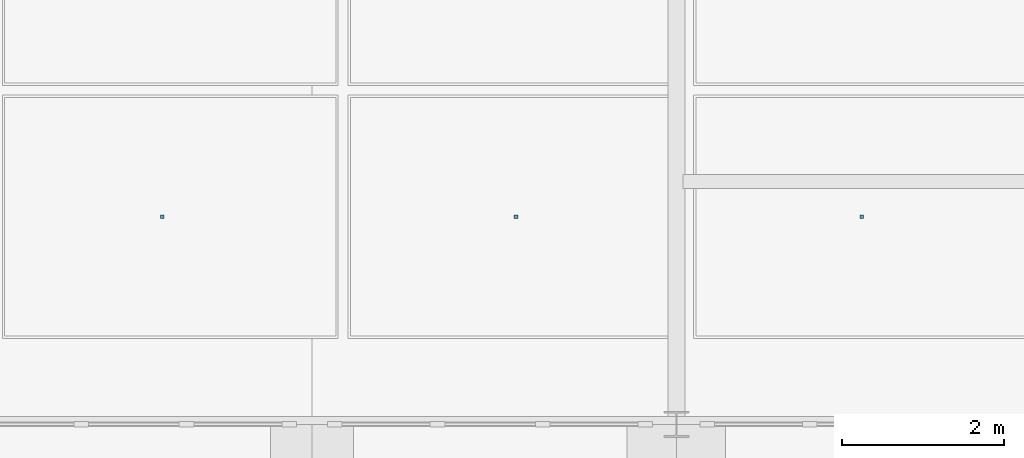
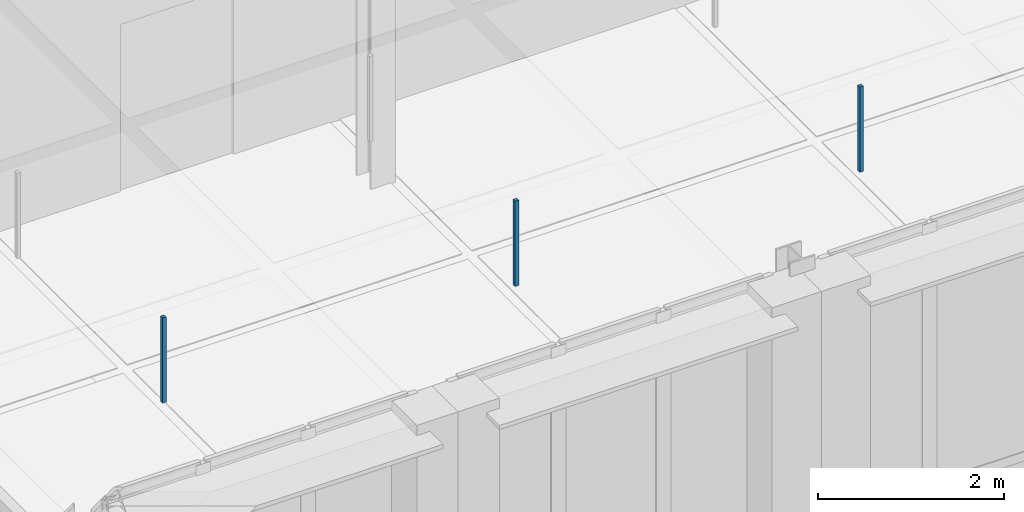
# One storey, part 93 of 130: 3 discrete accessories.
"""IFC4 building model written with IfcOpenShell, lengths in metres."""

from ifc_helpers import new_model, si_unit, direction, frame, origin, origin_2d, place, context, subcontext, project, spatial, rectangle, extrude, material, type_object, element, save


model = new_model("IFC4")

# Units and contexts
model_context = context("Model", 3, precision=1e-05, world=origin(), true_north=direction((0.0, 1.0)))
body_context = subcontext(model_context, "Body", "Model", "MODEL_VIEW")
ifc_project = project(units=[si_unit("LENGTHUNIT", "METRE"), si_unit("AREAUNIT", "SQUARE_METRE"), si_unit("VOLUMEUNIT", "CUBIC_METRE"), si_unit("PLANEANGLEUNIT", "RADIAN"), si_unit("MASSUNIT", "GRAM", prefix="KILO"), si_unit("THERMODYNAMICTEMPERATUREUNIT", "KELVIN"), si_unit("POWERUNIT", "WATT")], contexts=[model_context])

# Site, building, storey
site_placement = place(None, origin())
site = spatial("IfcSite", under=ifc_project, at=site_placement, CompositionType="ELEMENT")
building_placement = place(site_placement, origin())
building = spatial("IfcBuilding", under=site, at=building_placement, Name="Tallowbark Science Centre", CompositionType="ELEMENT")
storey_placement = place(building_placement, frame((0.0, 0.0, 5.39990234375)))
storey = spatial("IfcBuildingStorey", under=building, at=storey_placement, Name="L01", CompositionType="ELEMENT", Elevation=5.39990234375)

# Discrete accessories
ifc_material = material(Name="Galvanised Steel Grade C350L0 (350 MPa)", Category="steel")
discrete_accessory_type = type_object("IfcDiscreteAccessoryType", Name="ACC-CLG-HNG", PredefinedType="BRACKET", material=ifc_material)
for number, where, z_axis, x_axis, name in (
    (1, (83.652587890625, 74.5625, 3.205078125), (0.0, 0.0, 1.0), (1.0, 0.0, 0.0), "Ceiling Hanger Bracket L01-631"),
    (2, (88.019287109375, 74.5625, 3.205078125), (0.0, 0.0, 1.0), (1.0, 0.0, 0.0), "Ceiling Hanger Bracket L01-639"),
    (3, (92.28857421875, 74.5625, 3.205078125), (0.0, 0.0, 1.0), (1.0, 0.0, 0.0), "Ceiling Hanger Bracket L01-647"),
):
    element("IfcDiscreteAccessory", number, at=place(storey_placement, frame(where, z_axis=z_axis, x_axis=x_axis)), inside=storey, type_object=discrete_accessory_type, Name=name, PredefinedType="BRACKET", context=body_context, shape_type="SweptSolid", body=[
        extrude(rectangle(XDim=0.044921875, YDim=0.044921875, at=origin_2d()), origin(), (0.0, 0.0, 1.0), 1.117919921875),
    ])

save(model, "model.ifc")
